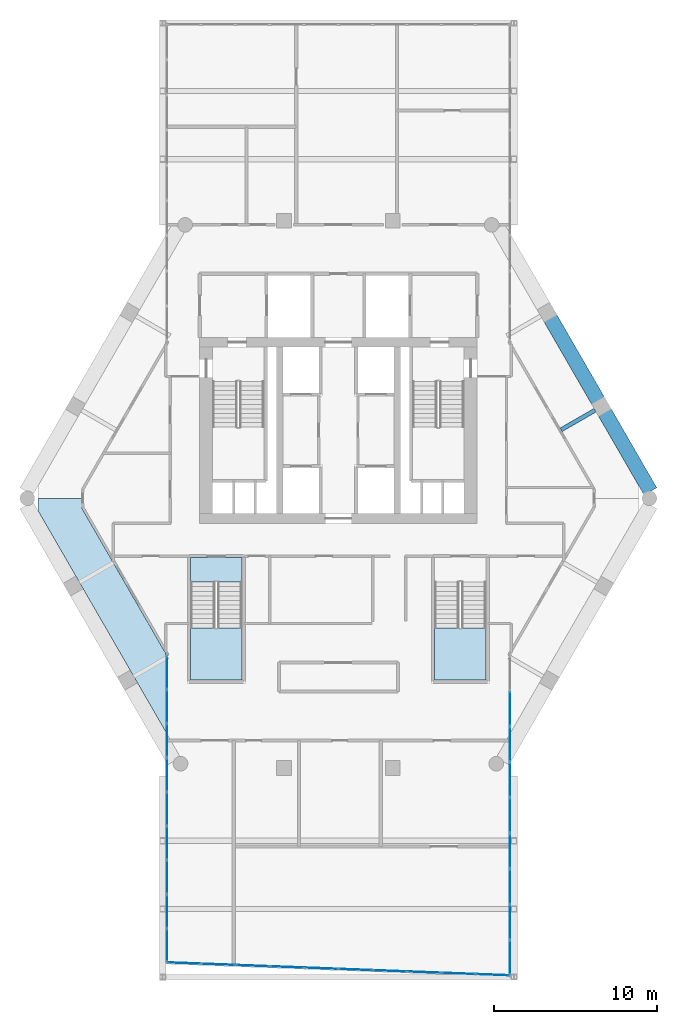
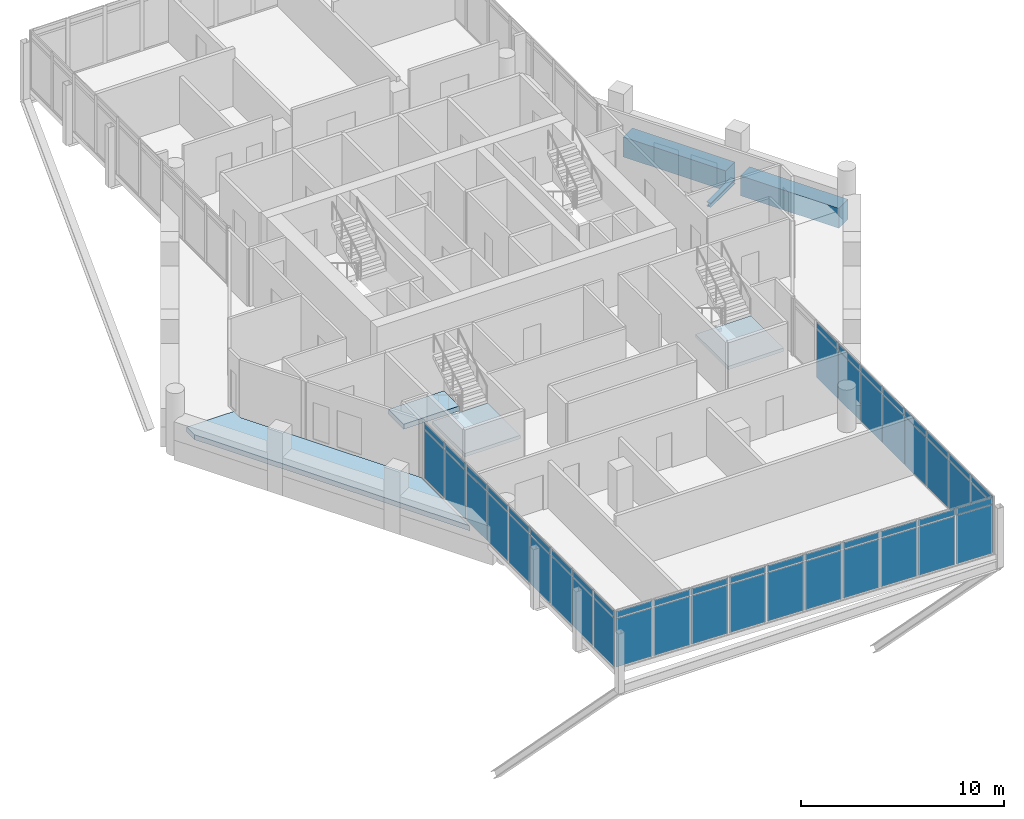
# One storey, part 26 of 34: 54 plates, 4 slabs, 3 beams, 5 elements without a shape of their own.
"""IFC4 building model written with IfcOpenShell, lengths in metres."""

from ifc_helpers import new_model, si_unit, direction, frame, origin, origin_2d, place, context, subcontext, project, spatial, polyline, rectangle, i_section, outline, extrude, material, layer, layer_set, material_profile, profile_set, type_object, element, aggregate, save


model = new_model("IFC4")

# Units and contexts
model_context = context("Model", 3, precision=1e-05, world=origin(), true_north=direction((0.0, 1.0)))
body_context = subcontext(model_context, "Body", "Model", "MODEL_VIEW")
ifc_project = project(units=[si_unit("LENGTHUNIT", "METRE"), si_unit("AREAUNIT", "SQUARE_METRE"), si_unit("VOLUMEUNIT", "CUBIC_METRE"), si_unit("PLANEANGLEUNIT", "RADIAN"), si_unit("MASSUNIT", "GRAM", prefix="KILO")], contexts=[model_context])

# Site, building, storey
site_placement = place(None, origin())
site = spatial("IfcSite", under=ifc_project, at=site_placement, CompositionType="ELEMENT")
building_placement = place(site_placement, origin())
building = spatial("IfcBuilding", under=site, at=building_placement, Name="Ostrander Bayou Hotel Tower", CompositionType="ELEMENT")
storey_placement = place(building_placement, frame((0.0, 0.0, 222.0)))
storey = spatial("IfcBuildingStorey", under=building, at=storey_placement, Name="L55", CompositionType="ELEMENT", Elevation=222.0)

# Beams
ifc_material_1 = material(Name="Steel ASTM A992", Category="steel")
ifc_material_profile_1 = material_profile(ifc_material_1, i_section(OverallWidth=0.25390625, OverallDepth=0.25341796875, WebThickness=0.008544921875, FlangeThickness=0.01416015625, at=origin_2d()))
ifc_profile_set_1 = profile_set([ifc_material_profile_1], Name="Steel ASTM A992")
beam_type_1 = type_object("IfcBeamType", Name="LB2 loggia bracket W10x49", PredefinedType="BEAM", material=ifc_profile_set_1)
beam_1_placement = place(storey_placement, frame((15.725830078125, 5.23486328125, -0.4267578125), z_axis=(-0.866050077142, -0.499957262057, 0.0), x_axis=(0.499957262057, -0.866050077142, 0.0)))
element("IfcBeam", 1, at=beam_1_placement, inside=storey, type_object=beam_type_1, Name="LB2 L55 NE1", PredefinedType="BEAM", context=body_context, shape_type="SweptSolid", body=[
    extrude(i_section(OverallWidth=0.25390625, OverallDepth=0.25341796875, WebThickness=0.008544921875, FlangeThickness=0.01416015625, at=origin_2d()), origin(), (0.0, 0.0, 1.0), 2.400146484375),
])
ifc_material_2 = material(Name="Concrete f'c 60 MPa", Category="concrete")
ifc_material_profile_2 = material_profile(ifc_material_2, rectangle(XDim=0.89990234375, YDim=1.199951171875, at=origin_2d()))
ifc_profile_set_2 = profile_set([ifc_material_profile_2], Name="Concrete f'c 60 MPa")
beam_type_2 = type_object("IfcBeamType", Name="SP4 spandrel beam 900 x 1200 mm f'c 60 MPa", PredefinedType="SPANDREL", material=ifc_profile_set_2)
beam_2_placement = place(storey_placement, frame((19.11865234375, 0.25830078125, -0.60009765625), z_axis=(-0.500007442593, 0.866021106759, 0.0), x_axis=(-0.866021106759, -0.500007442593, 0.0)))
element("IfcBeam", 2, at=beam_2_placement, inside=storey, type_object=beam_type_2, Name="SP4 L55 NE-1", PredefinedType="SPANDREL", context=body_context, shape_type="SweptSolid", body=[
    extrude(rectangle(XDim=0.89990234375, YDim=1.199951171875, at=origin_2d()), origin(), (0.0, 0.0, 1.0), 5.58642578125),
])
beam_3_placement = place(storey_placement, frame((15.905517578125, 5.823486328125, -0.60009765625), z_axis=(-0.499997265274, 0.866026982673, 0.0), x_axis=(-0.866026982673, -0.499997265274, 0.0)))
element("IfcBeam", 3, at=beam_3_placement, inside=storey, type_object=beam_type_2, Name="SP4 L55 NE-2", PredefinedType="SPANDREL", context=body_context, shape_type="SweptSolid", body=[
    extrude(rectangle(XDim=0.89990234375, YDim=1.199951171875, at=origin_2d()), origin(), (0.0, 0.0, 1.0), 5.81884765625),
])

# Curtain wall, plates
ifc_material_3 = material(Name="Aluminium and clear glass", Category="aluminium")
curtain_wall_type = type_object("IfcCurtainWallType", Name="CW-BAR glazed wall", PredefinedType="NOTDEFINED", material=ifc_material_3)
curtain_wall_1_placement = place(storey_placement, origin())
curtain_wall_1 = element("IfcCurtainWall", 4, at=curtain_wall_1_placement, inside=storey, type_object=curtain_wall_type, Name="CW-BAR L55:SB5S:E", PredefinedType="NOTDEFINED")
ifc_material_4 = material(Name="Clear laminated glass", Category="glass")
ifc_layer_1 = layer(ifc_material_4, 0.028076171875)
ifc_layer_set_1 = layer_set([ifc_layer_1], Name="CW-BR glazing panel 28 mm")
plate_type = type_object("IfcPlateType", Name="CW-BR glazing panel 28 mm", PredefinedType="CURTAIN_PANEL", material=ifc_layer_set_1)
plate_1_placement = place(storey_placement, frame((-10.51220703125, -10.852294921875, 0.06005859375), z_axis=(0.0, 0.0, 1.0), x_axis=(0.0, -1.0, 0.0)))
plate_1 = element("IfcPlate", 5, at=plate_1_placement, type_object=plate_type, Name="CW-BAR panel 1.1", PredefinedType="CURTAIN_PANEL", context=body_context, shape_type="SweptSolid", body=[
    extrude(rectangle(XDim=2.0, YDim=0.028076171875, at=origin_2d()), origin(), (0.0, 0.0, 1.0), 2.909912109375),
])
plate_2_placement = place(storey_placement, frame((-10.51220703125, -10.852294921875, 3.02978515625), z_axis=(0.0, 0.0, 1.0), x_axis=(0.0, -1.0, 0.0)))
plate_2 = element("IfcPlate", 6, at=plate_2_placement, type_object=plate_type, Name="CW-BAR panel 1.2", PredefinedType="CURTAIN_PANEL", context=body_context, shape_type="SweptSolid", body=[
    extrude(rectangle(XDim=2.0, YDim=0.028076171875, at=origin_2d()), origin(), (0.0, 0.0, 1.0), 0.360107421875),
])
plate_3_placement = place(storey_placement, frame((-10.51220703125, -12.927490234375, 0.06005859375), z_axis=(0.0, 0.0, 1.0), x_axis=(0.0, -1.0, 0.0)))
plate_3 = element("IfcPlate", 7, at=plate_3_placement, type_object=plate_type, Name="CW-BAR panel 2.1", PredefinedType="CURTAIN_PANEL", context=body_context, shape_type="SweptSolid", body=[
    extrude(rectangle(XDim=2.030029296875, YDim=0.028076171875, at=origin_2d()), origin(), (0.0, 0.0, 1.0), 2.909912109375),
])
plate_4_placement = place(storey_placement, frame((-10.51220703125, -12.927490234375, 3.02978515625), z_axis=(0.0, 0.0, 1.0), x_axis=(0.0, -1.0, 0.0)))
plate_4 = element("IfcPlate", 8, at=plate_4_placement, type_object=plate_type, Name="CW-BAR panel 2.2", PredefinedType="CURTAIN_PANEL", context=body_context, shape_type="SweptSolid", body=[
    extrude(rectangle(XDim=2.030029296875, YDim=0.028076171875, at=origin_2d()), origin(), (0.0, 0.0, 1.0), 0.360107421875),
])
plate_5_placement = place(storey_placement, frame((-10.51220703125, -15.017333984375, 0.06005859375), z_axis=(0.0, 0.0, 1.0), x_axis=(0.0, -1.0, 0.0)))
plate_5 = element("IfcPlate", 9, at=plate_5_placement, type_object=plate_type, Name="CW-BAR panel 3.1", PredefinedType="CURTAIN_PANEL", context=body_context, shape_type="SweptSolid", body=[
    extrude(rectangle(XDim=2.030029296875, YDim=0.028076171875, at=origin_2d()), origin(), (0.0, 0.0, 1.0), 2.909912109375),
])
plate_6_placement = place(storey_placement, frame((-10.51220703125, -15.017333984375, 3.02978515625), z_axis=(0.0, 0.0, 1.0), x_axis=(0.0, -1.0, 0.0)))
plate_6 = element("IfcPlate", 10, at=plate_6_placement, type_object=plate_type, Name="CW-BAR panel 3.2", PredefinedType="CURTAIN_PANEL", context=body_context, shape_type="SweptSolid", body=[
    extrude(rectangle(XDim=2.030029296875, YDim=0.028076171875, at=origin_2d()), origin(), (0.0, 0.0, 1.0), 0.360107421875),
])
plate_7_placement = place(storey_placement, frame((-10.51220703125, -17.107421875, 0.06005859375), z_axis=(0.0, 0.0, 1.0), x_axis=(0.0, -1.0, 0.0)))
plate_7 = element("IfcPlate", 11, at=plate_7_placement, type_object=plate_type, Name="CW-BAR panel 4.1", PredefinedType="CURTAIN_PANEL", context=body_context, shape_type="SweptSolid", body=[
    extrude(rectangle(XDim=2.030029296875, YDim=0.028076171875, at=origin_2d()), origin(), (0.0, 0.0, 1.0), 2.909912109375),
])
plate_8_placement = place(storey_placement, frame((-10.51220703125, -17.107421875, 3.02978515625), z_axis=(0.0, 0.0, 1.0), x_axis=(0.0, -1.0, 0.0)))
plate_8 = element("IfcPlate", 12, at=plate_8_placement, type_object=plate_type, Name="CW-BAR panel 4.2", PredefinedType="CURTAIN_PANEL", context=body_context, shape_type="SweptSolid", body=[
    extrude(rectangle(XDim=2.030029296875, YDim=0.028076171875, at=origin_2d()), origin(), (0.0, 0.0, 1.0), 0.360107421875),
])
plate_9_placement = place(storey_placement, frame((-10.51220703125, -19.197509765625, 0.06005859375), z_axis=(0.0, 0.0, 1.0), x_axis=(0.0, -1.0, 0.0)))
plate_9 = element("IfcPlate", 13, at=plate_9_placement, type_object=plate_type, Name="CW-BAR panel 5.1", PredefinedType="CURTAIN_PANEL", context=body_context, shape_type="SweptSolid", body=[
    extrude(rectangle(XDim=2.030029296875, YDim=0.028076171875, at=origin_2d()), origin(), (0.0, 0.0, 1.0), 2.909912109375),
])
plate_10_placement = place(storey_placement, frame((-10.51220703125, -19.197509765625, 3.02978515625), z_axis=(0.0, 0.0, 1.0), x_axis=(0.0, -1.0, 0.0)))
plate_10 = element("IfcPlate", 14, at=plate_10_placement, type_object=plate_type, Name="CW-BAR panel 5.2", PredefinedType="CURTAIN_PANEL", context=body_context, shape_type="SweptSolid", body=[
    extrude(rectangle(XDim=2.030029296875, YDim=0.028076171875, at=origin_2d()), origin(), (0.0, 0.0, 1.0), 0.360107421875),
])
plate_11_placement = place(storey_placement, frame((-10.51220703125, -21.28759765625, 0.06005859375), z_axis=(0.0, 0.0, 1.0), x_axis=(0.0, -1.0, 0.0)))
plate_11 = element("IfcPlate", 15, at=plate_11_placement, type_object=plate_type, Name="CW-BAR panel 6.1", PredefinedType="CURTAIN_PANEL", context=body_context, shape_type="SweptSolid", body=[
    extrude(rectangle(XDim=2.030029296875, YDim=0.028076171875, at=origin_2d()), origin(), (0.0, 0.0, 1.0), 2.909912109375),
])
plate_12_placement = place(storey_placement, frame((-10.51220703125, -21.28759765625, 3.02978515625), z_axis=(0.0, 0.0, 1.0), x_axis=(0.0, -1.0, 0.0)))
plate_12 = element("IfcPlate", 16, at=plate_12_placement, type_object=plate_type, Name="CW-BAR panel 6.2", PredefinedType="CURTAIN_PANEL", context=body_context, shape_type="SweptSolid", body=[
    extrude(rectangle(XDim=2.030029296875, YDim=0.028076171875, at=origin_2d()), origin(), (0.0, 0.0, 1.0), 0.360107421875),
])
plate_13_placement = place(storey_placement, frame((-10.51220703125, -23.377685546875, 0.06005859375), z_axis=(0.0, 0.0, 1.0), x_axis=(0.0, -1.0, 0.0)))
plate_13 = element("IfcPlate", 17, at=plate_13_placement, type_object=plate_type, Name="CW-BAR panel 7.1", PredefinedType="CURTAIN_PANEL", context=body_context, shape_type="SweptSolid", body=[
    extrude(rectangle(XDim=2.030029296875, YDim=0.028076171875, at=origin_2d()), origin(), (0.0, 0.0, 1.0), 2.909912109375),
])
plate_14_placement = place(storey_placement, frame((-10.51220703125, -23.377685546875, 3.02978515625), z_axis=(0.0, 0.0, 1.0), x_axis=(0.0, -1.0, 0.0)))
plate_14 = element("IfcPlate", 18, at=plate_14_placement, type_object=plate_type, Name="CW-BAR panel 7.2", PredefinedType="CURTAIN_PANEL", context=body_context, shape_type="SweptSolid", body=[
    extrude(rectangle(XDim=2.030029296875, YDim=0.028076171875, at=origin_2d()), origin(), (0.0, 0.0, 1.0), 0.360107421875),
])
plate_15_placement = place(storey_placement, frame((-10.51220703125, -25.4677734375, 0.06005859375), z_axis=(0.0, 0.0, 1.0), x_axis=(0.0, -1.0, 0.0)))
plate_15 = element("IfcPlate", 19, at=plate_15_placement, type_object=plate_type, Name="CW-BAR panel 8.1", PredefinedType="CURTAIN_PANEL", context=body_context, shape_type="SweptSolid", body=[
    extrude(rectangle(XDim=2.030029296875, YDim=0.028076171875, at=origin_2d()), origin(), (0.0, 0.0, 1.0), 2.909912109375),
])
plate_16_placement = place(storey_placement, frame((-10.51220703125, -25.4677734375, 3.02978515625), z_axis=(0.0, 0.0, 1.0), x_axis=(0.0, -1.0, 0.0)))
plate_16 = element("IfcPlate", 20, at=plate_16_placement, type_object=plate_type, Name="CW-BAR panel 8.2", PredefinedType="CURTAIN_PANEL", context=body_context, shape_type="SweptSolid", body=[
    extrude(rectangle(XDim=2.030029296875, YDim=0.028076171875, at=origin_2d()), origin(), (0.0, 0.0, 1.0), 0.360107421875),
])
plate_17_placement = place(storey_placement, frame((-10.51220703125, -27.542724609375, 0.06005859375), z_axis=(0.0, 0.0, 1.0), x_axis=(0.0, -1.0, 0.0)))
plate_17 = element("IfcPlate", 21, at=plate_17_placement, type_object=plate_type, Name="CW-BAR panel 9.1", PredefinedType="CURTAIN_PANEL", context=body_context, shape_type="SweptSolid", body=[
    extrude(rectangle(XDim=2.0, YDim=0.028076171875, at=origin_2d()), origin(), (0.0, 0.0, 1.0), 2.909912109375),
])
plate_18_placement = place(storey_placement, frame((-10.51220703125, -27.542724609375, 3.02978515625), z_axis=(0.0, 0.0, 1.0), x_axis=(0.0, -1.0, 0.0)))
plate_18 = element("IfcPlate", 22, at=plate_18_placement, type_object=plate_type, Name="CW-BAR panel 9.2", PredefinedType="CURTAIN_PANEL", context=body_context, shape_type="SweptSolid", body=[
    extrude(rectangle(XDim=2.0, YDim=0.028076171875, at=origin_2d()), origin(), (0.0, 0.0, 1.0), 0.360107421875),
])
aggregate(curtain_wall_1, [plate_1, plate_2, plate_3, plate_4, plate_5, plate_6, plate_7, plate_8, plate_9, plate_10, plate_11, plate_12, plate_13, plate_14, plate_15, plate_16, plate_17, plate_18])

curtain_wall_2_placement = place(storey_placement, origin())
curtain_wall_2 = element("IfcCurtainWall", 23, at=curtain_wall_2_placement, inside=storey, type_object=curtain_wall_type, Name="CW-BAR L55:SB5S:T", PredefinedType="NOTDEFINED")
plate_19_placement = place(storey_placement, frame((-9.446044921875, -28.64306640625, 0.06005859375), z_axis=(0.0, 0.0, 1.0), x_axis=(0.99928692283, -0.037757725854, 0.0)))
plate_19 = element("IfcPlate", 24, at=plate_19_placement, type_object=plate_type, Name="CW-BAR panel 1.1", PredefinedType="CURTAIN_PANEL", context=body_context, shape_type="SweptSolid", body=[
    extrude(rectangle(XDim=2.013916015625, YDim=0.028076171875, at=origin_2d()), origin(), (0.0, 0.0, 1.0), 2.909912109375),
])
plate_20_placement = place(storey_placement, frame((-9.446044921875, -28.64306640625, 3.02978515625), z_axis=(0.0, 0.0, 1.0), x_axis=(0.99928692283, -0.037757725854, 0.0)))
plate_20 = element("IfcPlate", 25, at=plate_20_placement, type_object=plate_type, Name="CW-BAR panel 1.2", PredefinedType="CURTAIN_PANEL", context=body_context, shape_type="SweptSolid", body=[
    extrude(rectangle(XDim=2.013916015625, YDim=0.028076171875, at=origin_2d()), origin(), (0.0, 0.0, 1.0), 0.360107421875),
])
plate_21_placement = place(storey_placement, frame((-7.358642578125, -28.721923828125, 0.06005859375), z_axis=(0.0, 0.0, 1.0), x_axis=(0.99928692283, -0.037757725854, 0.0)))
plate_21 = element("IfcPlate", 26, at=plate_21_placement, type_object=plate_type, Name="CW-BAR panel 2.1", PredefinedType="CURTAIN_PANEL", context=body_context, shape_type="SweptSolid", body=[
    extrude(rectangle(XDim=2.0439453125, YDim=0.028076171875, at=origin_2d()), origin(), (0.0, 0.0, 1.0), 2.909912109375),
])
plate_22_placement = place(storey_placement, frame((-7.358642578125, -28.721923828125, 3.02978515625), z_axis=(0.0, 0.0, 1.0), x_axis=(0.99928692283, -0.037757725854, 0.0)))
plate_22 = element("IfcPlate", 27, at=plate_22_placement, type_object=plate_type, Name="CW-BAR panel 2.2", PredefinedType="CURTAIN_PANEL", context=body_context, shape_type="SweptSolid", body=[
    extrude(rectangle(XDim=2.0439453125, YDim=0.028076171875, at=origin_2d()), origin(), (0.0, 0.0, 1.0), 0.360107421875),
])
plate_23_placement = place(storey_placement, frame((-5.256103515625, -28.801513671875, 0.06005859375), z_axis=(0.0, 0.0, 1.0), x_axis=(0.99928692283, -0.037757725854, 0.0)))
plate_23 = element("IfcPlate", 28, at=plate_23_placement, type_object=plate_type, Name="CW-BAR panel 3.1", PredefinedType="CURTAIN_PANEL", context=body_context, shape_type="SweptSolid", body=[
    extrude(rectangle(XDim=2.0439453125, YDim=0.028076171875, at=origin_2d()), origin(), (0.0, 0.0, 1.0), 2.909912109375),
])
plate_24_placement = place(storey_placement, frame((-5.256103515625, -28.801513671875, 3.02978515625), z_axis=(0.0, 0.0, 1.0), x_axis=(0.99928692283, -0.037757725854, 0.0)))
plate_24 = element("IfcPlate", 29, at=plate_24_placement, type_object=plate_type, Name="CW-BAR panel 3.2", PredefinedType="CURTAIN_PANEL", context=body_context, shape_type="SweptSolid", body=[
    extrude(rectangle(XDim=2.0439453125, YDim=0.028076171875, at=origin_2d()), origin(), (0.0, 0.0, 1.0), 0.360107421875),
])
plate_25_placement = place(storey_placement, frame((-3.153564453125, -28.880859375, 0.06005859375), z_axis=(0.0, 0.0, 1.0), x_axis=(0.99928692283, -0.037757725854, 0.0)))
plate_25 = element("IfcPlate", 30, at=plate_25_placement, type_object=plate_type, Name="CW-BAR panel 4.1", PredefinedType="CURTAIN_PANEL", context=body_context, shape_type="SweptSolid", body=[
    extrude(rectangle(XDim=2.0439453125, YDim=0.028076171875, at=origin_2d()), origin(), (0.0, 0.0, 1.0), 2.909912109375),
])
plate_26_placement = place(storey_placement, frame((-3.153564453125, -28.880859375, 3.02978515625), z_axis=(0.0, 0.0, 1.0), x_axis=(0.99928692283, -0.037757725854, 0.0)))
plate_26 = element("IfcPlate", 31, at=plate_26_placement, type_object=plate_type, Name="CW-BAR panel 4.2", PredefinedType="CURTAIN_PANEL", context=body_context, shape_type="SweptSolid", body=[
    extrude(rectangle(XDim=2.0439453125, YDim=0.028076171875, at=origin_2d()), origin(), (0.0, 0.0, 1.0), 0.360107421875),
])
plate_27_placement = place(storey_placement, frame((-1.05126953125, -28.960205078125, 0.06005859375), z_axis=(0.0, 0.0, 1.0), x_axis=(0.99928692283, -0.037757725854, 0.0)))
plate_27 = element("IfcPlate", 32, at=plate_27_placement, type_object=plate_type, Name="CW-BAR panel 5.1", PredefinedType="CURTAIN_PANEL", context=body_context, shape_type="SweptSolid", body=[
    extrude(rectangle(XDim=2.0439453125, YDim=0.028076171875, at=origin_2d()), origin(), (0.0, 0.0, 1.0), 2.909912109375),
])
plate_28_placement = place(storey_placement, frame((-1.05126953125, -28.960205078125, 3.02978515625), z_axis=(0.0, 0.0, 1.0), x_axis=(0.99928692283, -0.037757725854, 0.0)))
plate_28 = element("IfcPlate", 33, at=plate_28_placement, type_object=plate_type, Name="CW-BAR panel 5.2", PredefinedType="CURTAIN_PANEL", context=body_context, shape_type="SweptSolid", body=[
    extrude(rectangle(XDim=2.0439453125, YDim=0.028076171875, at=origin_2d()), origin(), (0.0, 0.0, 1.0), 0.360107421875),
])
plate_29_placement = place(storey_placement, frame((1.05126953125, -29.039794921875, 0.06005859375), z_axis=(0.0, 0.0, 1.0), x_axis=(0.99928692283, -0.037757725854, 0.0)))
plate_29 = element("IfcPlate", 34, at=plate_29_placement, type_object=plate_type, Name="CW-BAR panel 6.1", PredefinedType="CURTAIN_PANEL", context=body_context, shape_type="SweptSolid", body=[
    extrude(rectangle(XDim=2.0439453125, YDim=0.028076171875, at=origin_2d()), origin(), (0.0, 0.0, 1.0), 2.909912109375),
])
plate_30_placement = place(storey_placement, frame((1.05126953125, -29.039794921875, 3.02978515625), z_axis=(0.0, 0.0, 1.0), x_axis=(0.99928692283, -0.037757725854, 0.0)))
plate_30 = element("IfcPlate", 35, at=plate_30_placement, type_object=plate_type, Name="CW-BAR panel 6.2", PredefinedType="CURTAIN_PANEL", context=body_context, shape_type="SweptSolid", body=[
    extrude(rectangle(XDim=2.0439453125, YDim=0.028076171875, at=origin_2d()), origin(), (0.0, 0.0, 1.0), 0.360107421875),
])
plate_31_placement = place(storey_placement, frame((3.153564453125, -29.119140625, 0.06005859375), z_axis=(0.0, 0.0, 1.0), x_axis=(0.99928692283, -0.037757725854, 0.0)))
plate_31 = element("IfcPlate", 36, at=plate_31_placement, type_object=plate_type, Name="CW-BAR panel 7.1", PredefinedType="CURTAIN_PANEL", context=body_context, shape_type="SweptSolid", body=[
    extrude(rectangle(XDim=2.0439453125, YDim=0.028076171875, at=origin_2d()), origin(), (0.0, 0.0, 1.0), 2.909912109375),
])
plate_32_placement = place(storey_placement, frame((3.153564453125, -29.119140625, 3.02978515625), z_axis=(0.0, 0.0, 1.0), x_axis=(0.99928692283, -0.037757725854, 0.0)))
plate_32 = element("IfcPlate", 37, at=plate_32_placement, type_object=plate_type, Name="CW-BAR panel 7.2", PredefinedType="CURTAIN_PANEL", context=body_context, shape_type="SweptSolid", body=[
    extrude(rectangle(XDim=2.0439453125, YDim=0.028076171875, at=origin_2d()), origin(), (0.0, 0.0, 1.0), 0.360107421875),
])
plate_33_placement = place(storey_placement, frame((5.256103515625, -29.198486328125, 0.06005859375), z_axis=(0.0, 0.0, 1.0), x_axis=(0.99928692283, -0.037757725854, 0.0)))
plate_33 = element("IfcPlate", 38, at=plate_33_placement, type_object=plate_type, Name="CW-BAR panel 8.1", PredefinedType="CURTAIN_PANEL", context=body_context, shape_type="SweptSolid", body=[
    extrude(rectangle(XDim=2.0439453125, YDim=0.028076171875, at=origin_2d()), origin(), (0.0, 0.0, 1.0), 2.909912109375),
])
plate_34_placement = place(storey_placement, frame((5.256103515625, -29.198486328125, 3.02978515625), z_axis=(0.0, 0.0, 1.0), x_axis=(0.99928692283, -0.037757725854, 0.0)))
plate_34 = element("IfcPlate", 39, at=plate_34_placement, type_object=plate_type, Name="CW-BAR panel 8.2", PredefinedType="CURTAIN_PANEL", context=body_context, shape_type="SweptSolid", body=[
    extrude(rectangle(XDim=2.0439453125, YDim=0.028076171875, at=origin_2d()), origin(), (0.0, 0.0, 1.0), 0.360107421875),
])
plate_35_placement = place(storey_placement, frame((7.358642578125, -29.278076171875, 0.06005859375), z_axis=(0.0, 0.0, 1.0), x_axis=(0.99928692283, -0.037757725854, 0.0)))
plate_35 = element("IfcPlate", 40, at=plate_35_placement, type_object=plate_type, Name="CW-BAR panel 9.1", PredefinedType="CURTAIN_PANEL", context=body_context, shape_type="SweptSolid", body=[
    extrude(rectangle(XDim=2.0439453125, YDim=0.028076171875, at=origin_2d()), origin(), (0.0, 0.0, 1.0), 2.909912109375),
])
plate_36_placement = place(storey_placement, frame((7.358642578125, -29.278076171875, 3.02978515625), z_axis=(0.0, 0.0, 1.0), x_axis=(0.99928692283, -0.037757725854, 0.0)))
plate_36 = element("IfcPlate", 41, at=plate_36_placement, type_object=plate_type, Name="CW-BAR panel 9.2", PredefinedType="CURTAIN_PANEL", context=body_context, shape_type="SweptSolid", body=[
    extrude(rectangle(XDim=2.0439453125, YDim=0.028076171875, at=origin_2d()), origin(), (0.0, 0.0, 1.0), 0.360107421875),
])
plate_37_placement = place(storey_placement, frame((9.446044921875, -29.35693359375, 0.06005859375), z_axis=(0.0, 0.0, 1.0), x_axis=(0.99928692283, -0.037757725854, 0.0)))
plate_37 = element("IfcPlate", 42, at=plate_37_placement, type_object=plate_type, Name="CW-BAR panel 10.1", PredefinedType="CURTAIN_PANEL", context=body_context, shape_type="SweptSolid", body=[
    extrude(rectangle(XDim=2.013916015625, YDim=0.028076171875, at=origin_2d()), origin(), (0.0, 0.0, 1.0), 2.909912109375),
])
plate_38_placement = place(storey_placement, frame((9.446044921875, -29.35693359375, 3.02978515625), z_axis=(0.0, 0.0, 1.0), x_axis=(0.99928692283, -0.037757725854, 0.0)))
plate_38 = element("IfcPlate", 43, at=plate_38_placement, type_object=plate_type, Name="CW-BAR panel 10.2", PredefinedType="CURTAIN_PANEL", context=body_context, shape_type="SweptSolid", body=[
    extrude(rectangle(XDim=2.013916015625, YDim=0.028076171875, at=origin_2d()), origin(), (0.0, 0.0, 1.0), 0.360107421875),
])
aggregate(curtain_wall_2, [plate_19, plate_20, plate_21, plate_22, plate_23, plate_24, plate_25, plate_26, plate_27, plate_28, plate_29, plate_30, plate_31, plate_32, plate_33, plate_34, plate_35, plate_36, plate_37, plate_38])

curtain_wall_3_placement = place(storey_placement, origin())
curtain_wall_3 = element("IfcCurtainWall", 44, at=curtain_wall_3_placement, inside=storey, type_object=curtain_wall_type, Name="CW-BAR L55:SB5S:W", PredefinedType="NOTDEFINED")
plate_39_placement = place(storey_placement, frame((10.51220703125, -13.059814453125, 0.06005859375), z_axis=(0.0, 0.0, 1.0), x_axis=(0.0, -1.0, 0.0)))
plate_39 = element("IfcPlate", 45, at=plate_39_placement, type_object=plate_type, Name="CW-BAR panel 2.1", PredefinedType="CURTAIN_PANEL", context=body_context, shape_type="SweptSolid", body=[
    extrude(rectangle(XDim=2.118408203125, YDim=0.028076171875, at=origin_2d()), origin(), (0.0, 0.0, 1.0), 2.909912109375),
])
plate_40_placement = place(storey_placement, frame((10.51220703125, -13.059814453125, 3.02978515625), z_axis=(0.0, 0.0, 1.0), x_axis=(0.0, -1.0, 0.0)))
plate_40 = element("IfcPlate", 46, at=plate_40_placement, type_object=plate_type, Name="CW-BAR panel 2.2", PredefinedType="CURTAIN_PANEL", context=body_context, shape_type="SweptSolid", body=[
    extrude(rectangle(XDim=2.118408203125, YDim=0.028076171875, at=origin_2d()), origin(), (0.0, 0.0, 1.0), 0.360107421875),
])
plate_41_placement = place(storey_placement, frame((10.51220703125, -15.238037109375, 0.06005859375), z_axis=(0.0, 0.0, 1.0), x_axis=(0.0, -1.0, 0.0)))
plate_41 = element("IfcPlate", 47, at=plate_41_placement, type_object=plate_type, Name="CW-BAR panel 3.1", PredefinedType="CURTAIN_PANEL", context=body_context, shape_type="SweptSolid", body=[
    extrude(rectangle(XDim=2.118408203125, YDim=0.028076171875, at=origin_2d()), origin(), (0.0, 0.0, 1.0), 2.909912109375),
])
plate_42_placement = place(storey_placement, frame((10.51220703125, -15.238037109375, 3.02978515625), z_axis=(0.0, 0.0, 1.0), x_axis=(0.0, -1.0, 0.0)))
plate_42 = element("IfcPlate", 48, at=plate_42_placement, type_object=plate_type, Name="CW-BAR panel 3.2", PredefinedType="CURTAIN_PANEL", context=body_context, shape_type="SweptSolid", body=[
    extrude(rectangle(XDim=2.118408203125, YDim=0.028076171875, at=origin_2d()), origin(), (0.0, 0.0, 1.0), 0.360107421875),
])
plate_43_placement = place(storey_placement, frame((10.51220703125, -17.41650390625, 0.06005859375), z_axis=(0.0, 0.0, 1.0), x_axis=(0.0, -1.0, 0.0)))
plate_43 = element("IfcPlate", 49, at=plate_43_placement, type_object=plate_type, Name="CW-BAR panel 4.1", PredefinedType="CURTAIN_PANEL", context=body_context, shape_type="SweptSolid", body=[
    extrude(rectangle(XDim=2.118408203125, YDim=0.028076171875, at=origin_2d()), origin(), (0.0, 0.0, 1.0), 2.909912109375),
])
plate_44_placement = place(storey_placement, frame((10.51220703125, -17.41650390625, 3.02978515625), z_axis=(0.0, 0.0, 1.0), x_axis=(0.0, -1.0, 0.0)))
plate_44 = element("IfcPlate", 50, at=plate_44_placement, type_object=plate_type, Name="CW-BAR panel 4.2", PredefinedType="CURTAIN_PANEL", context=body_context, shape_type="SweptSolid", body=[
    extrude(rectangle(XDim=2.118408203125, YDim=0.028076171875, at=origin_2d()), origin(), (0.0, 0.0, 1.0), 0.360107421875),
])
plate_45_placement = place(storey_placement, frame((10.51220703125, -19.5947265625, 0.06005859375), z_axis=(0.0, 0.0, 1.0), x_axis=(0.0, -1.0, 0.0)))
plate_45 = element("IfcPlate", 51, at=plate_45_placement, type_object=plate_type, Name="CW-BAR panel 5.1", PredefinedType="CURTAIN_PANEL", context=body_context, shape_type="SweptSolid", body=[
    extrude(rectangle(XDim=2.118408203125, YDim=0.028076171875, at=origin_2d()), origin(), (0.0, 0.0, 1.0), 2.909912109375),
])
plate_46_placement = place(storey_placement, frame((10.51220703125, -19.5947265625, 3.02978515625), z_axis=(0.0, 0.0, 1.0), x_axis=(0.0, -1.0, 0.0)))
plate_46 = element("IfcPlate", 52, at=plate_46_placement, type_object=plate_type, Name="CW-BAR panel 5.2", PredefinedType="CURTAIN_PANEL", context=body_context, shape_type="SweptSolid", body=[
    extrude(rectangle(XDim=2.118408203125, YDim=0.028076171875, at=origin_2d()), origin(), (0.0, 0.0, 1.0), 0.360107421875),
])
plate_47_placement = place(storey_placement, frame((10.51220703125, -21.773193359375, 0.06005859375), z_axis=(0.0, 0.0, 1.0), x_axis=(0.0, -1.0, 0.0)))
plate_47 = element("IfcPlate", 53, at=plate_47_placement, type_object=plate_type, Name="CW-BAR panel 6.1", PredefinedType="CURTAIN_PANEL", context=body_context, shape_type="SweptSolid", body=[
    extrude(rectangle(XDim=2.118408203125, YDim=0.028076171875, at=origin_2d()), origin(), (0.0, 0.0, 1.0), 2.909912109375),
])
plate_48_placement = place(storey_placement, frame((10.51220703125, -21.773193359375, 3.02978515625), z_axis=(0.0, 0.0, 1.0), x_axis=(0.0, -1.0, 0.0)))
plate_48 = element("IfcPlate", 54, at=plate_48_placement, type_object=plate_type, Name="CW-BAR panel 6.2", PredefinedType="CURTAIN_PANEL", context=body_context, shape_type="SweptSolid", body=[
    extrude(rectangle(XDim=2.118408203125, YDim=0.028076171875, at=origin_2d()), origin(), (0.0, 0.0, 1.0), 0.360107421875),
])
plate_49_placement = place(storey_placement, frame((10.51220703125, -23.951416015625, 0.06005859375), z_axis=(0.0, 0.0, 1.0), x_axis=(0.0, -1.0, 0.0)))
plate_49 = element("IfcPlate", 55, at=plate_49_placement, type_object=plate_type, Name="CW-BAR panel 7.1", PredefinedType="CURTAIN_PANEL", context=body_context, shape_type="SweptSolid", body=[
    extrude(rectangle(XDim=2.118408203125, YDim=0.028076171875, at=origin_2d()), origin(), (0.0, 0.0, 1.0), 2.909912109375),
])
plate_50_placement = place(storey_placement, frame((10.51220703125, -23.951416015625, 3.02978515625), z_axis=(0.0, 0.0, 1.0), x_axis=(0.0, -1.0, 0.0)))
plate_50 = element("IfcPlate", 56, at=plate_50_placement, type_object=plate_type, Name="CW-BAR panel 7.2", PredefinedType="CURTAIN_PANEL", context=body_context, shape_type="SweptSolid", body=[
    extrude(rectangle(XDim=2.118408203125, YDim=0.028076171875, at=origin_2d()), origin(), (0.0, 0.0, 1.0), 0.360107421875),
])
plate_51_placement = place(storey_placement, frame((10.51220703125, -26.129638671875, 0.06005859375), z_axis=(0.0, 0.0, 1.0), x_axis=(0.0, -1.0, 0.0)))
plate_51 = element("IfcPlate", 57, at=plate_51_placement, type_object=plate_type, Name="CW-BAR panel 8.1", PredefinedType="CURTAIN_PANEL", context=body_context, shape_type="SweptSolid", body=[
    extrude(rectangle(XDim=2.118408203125, YDim=0.028076171875, at=origin_2d()), origin(), (0.0, 0.0, 1.0), 2.909912109375),
])
plate_52_placement = place(storey_placement, frame((10.51220703125, -26.129638671875, 3.02978515625), z_axis=(0.0, 0.0, 1.0), x_axis=(0.0, -1.0, 0.0)))
plate_52 = element("IfcPlate", 58, at=plate_52_placement, type_object=plate_type, Name="CW-BAR panel 8.2", PredefinedType="CURTAIN_PANEL", context=body_context, shape_type="SweptSolid", body=[
    extrude(rectangle(XDim=2.118408203125, YDim=0.028076171875, at=origin_2d()), origin(), (0.0, 0.0, 1.0), 0.360107421875),
])
plate_53_placement = place(storey_placement, frame((10.51220703125, -28.29296875, 0.06005859375), z_axis=(0.0, 0.0, 1.0), x_axis=(0.0, -1.0, 0.0)))
plate_53 = element("IfcPlate", 59, at=plate_53_placement, type_object=plate_type, Name="CW-BAR panel 9.1", PredefinedType="CURTAIN_PANEL", context=body_context, shape_type="SweptSolid", body=[
    extrude(rectangle(XDim=2.08837890625, YDim=0.028076171875, at=origin_2d()), origin(), (0.0, 0.0, 1.0), 2.909912109375),
])
plate_54_placement = place(storey_placement, frame((10.51220703125, -28.29296875, 3.02978515625), z_axis=(0.0, 0.0, 1.0), x_axis=(0.0, -1.0, 0.0)))
plate_54 = element("IfcPlate", 60, at=plate_54_placement, type_object=plate_type, Name="CW-BAR panel 9.2", PredefinedType="CURTAIN_PANEL", context=body_context, shape_type="SweptSolid", body=[
    extrude(rectangle(XDim=2.08837890625, YDim=0.028076171875, at=origin_2d()), origin(), (0.0, 0.0, 1.0), 0.360107421875),
])
aggregate(curtain_wall_3, [plate_39, plate_40, plate_41, plate_42, plate_43, plate_44, plate_45, plate_46, plate_47, plate_48, plate_49, plate_50, plate_51, plate_52, plate_53, plate_54])

# Slabs
ifc_material_5 = material(Name="Concrete f'c 40 MPa", Category="concrete")
ifc_layer_2 = layer(ifc_material_5, 0.300048828125)
ifc_layer_set_2 = layer_set([ifc_layer_2], Name="SL1 floor slab 300 mm f'c 40 MPa")
slab_type_1 = type_object("IfcSlabType", Name="SL1 floor slab 300 mm f'c 40 MPa", PredefinedType="FLOOR", material=ifc_layer_set_2)
slab_1_placement = place(storey_placement, frame((0.0, 0.0, -0.300048828125)))
element("IfcSlab", 61, at=slab_1_placement, inside=storey, type_object=slab_type_1, Name="cslab:L55:005", PredefinedType="FLOOR", context=body_context, shape_type="SweptSolid", body=[
    extrude(outline(polyline([(-5.89990234375, -5.300048828125), (-5.89990234375, -3.800048828125), (-9.050048828125, -3.800048828125), (-9.050048828125, -5.300048828125), (-5.89990234375, -5.300048828125)])), origin(), (0.0, 0.0, 1.0), 0.300048828125),
])
ifc_material_6 = material(Name="Concrete f'c 40 MPa", Category="concrete")
ifc_layer_3 = layer(ifc_material_6, 0.300048828125)
ifc_layer_set_3 = layer_set([ifc_layer_3], Name="SL4 loggia slab 300 mm f'c 40 MPa")
slab_type_2 = type_object("IfcSlabType", Name="SL4 loggia slab 300 mm f'c 40 MPa", PredefinedType="FLOOR", material=ifc_layer_set_3)
slab_2_placement = place(storey_placement, frame((0.0, 0.0, -0.300048828125)))
element("IfcSlab", 62, at=slab_2_placement, inside=storey, type_object=slab_type_2, Name="SL4 LOGGIA L55 SW 1", PredefinedType="FLOOR", context=body_context, shape_type="SweptSolid", body=[
    extrude(outline(polyline([(-10.587158203125, -11.220947265625), (-10.587158203125, -14.46240234375), (-12.328125, -11.447021484375), (-12.748046875, -10.719482421875), (-15.657470703125, -5.680419921875), (-16.077392578125, -4.952880859375), (-18.40966796875, -0.913818359375), (-18.40966796875, -0.163818359375), (-15.724853515625, -0.163818359375), (-15.724853515625, -0.763671875), (-10.587158203125, -9.662353515625), (-10.587158203125, -11.220947265625)])), origin(), (0.0, 0.0, 1.0), 0.300048828125),
])

# Stair, slab
ifc_material_7 = material(Name="Concrete f'c 45 MPa", Category="concrete")
stair_type = type_object("IfcStairType", Name="ST1 exit stair 1500 mm f'c 45 MPa", PredefinedType="HALF_TURN_STAIR", material=ifc_material_7)
stair_1_placement = place(storey_placement, origin())
stair_1 = element("IfcStair", 63, at=stair_1_placement, inside=storey, type_object=stair_type, Name="L55 exit stair C", PredefinedType="HALF_TURN_STAIR")
ifc_material_8 = material(Name="Concrete f'c 45 MPa", Category="concrete")
ifc_layer_4 = layer(ifc_material_8, 0.199951171875)
ifc_layer_set_4 = layer_set([ifc_layer_4], Name="SL8 stair landing 200 mm f'c 45 MPa")
slab_type_3 = type_object("IfcSlabType", Name="SL8 stair landing 200 mm f'c 45 MPa", PredefinedType="LANDING", material=ifc_layer_set_4)
slab_3_placement = place(storey_placement, frame((0.0, 0.0, 1.675048828125)))
slab_3 = element("IfcSlab", 64, at=slab_3_placement, type_object=slab_type_3, Name="STC landing 1", PredefinedType="LANDING", context=body_context, shape_type="SweptSolid", body=[
    extrude(outline(polyline([(5.89990234375, -8.10009765625), (5.89990234375, -11.300048828125), (9.050048828125, -11.300048828125), (9.050048828125, -8.10009765625), (5.89990234375, -8.10009765625)])), origin(), (0.0, 0.0, 1.0), 0.199951171875),
])
aggregate(stair_1, [slab_3])

stair_2_placement = place(storey_placement, origin())
stair_2 = element("IfcStair", 65, at=stair_2_placement, inside=storey, type_object=stair_type, Name="L55 exit stair D", PredefinedType="HALF_TURN_STAIR")
slab_4_placement = place(storey_placement, frame((0.0, 0.0, 1.675048828125)))
slab_4 = element("IfcSlab", 66, at=slab_4_placement, type_object=slab_type_3, Name="STD landing 1", PredefinedType="LANDING", context=body_context, shape_type="SweptSolid", body=[
    extrude(outline(polyline([(-9.050048828125, -8.10009765625), (-9.050048828125, -11.300048828125), (-5.89990234375, -11.300048828125), (-5.89990234375, -8.10009765625), (-9.050048828125, -8.10009765625)])), origin(), (0.0, 0.0, 1.0), 0.199951171875),
])
aggregate(stair_2, [slab_4])

save(model, "model.ifc")
